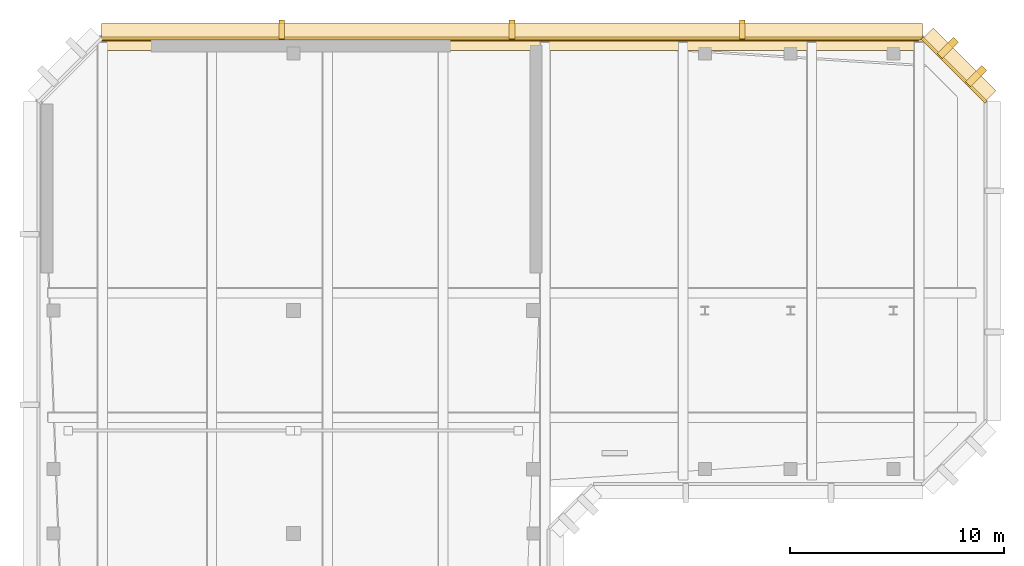
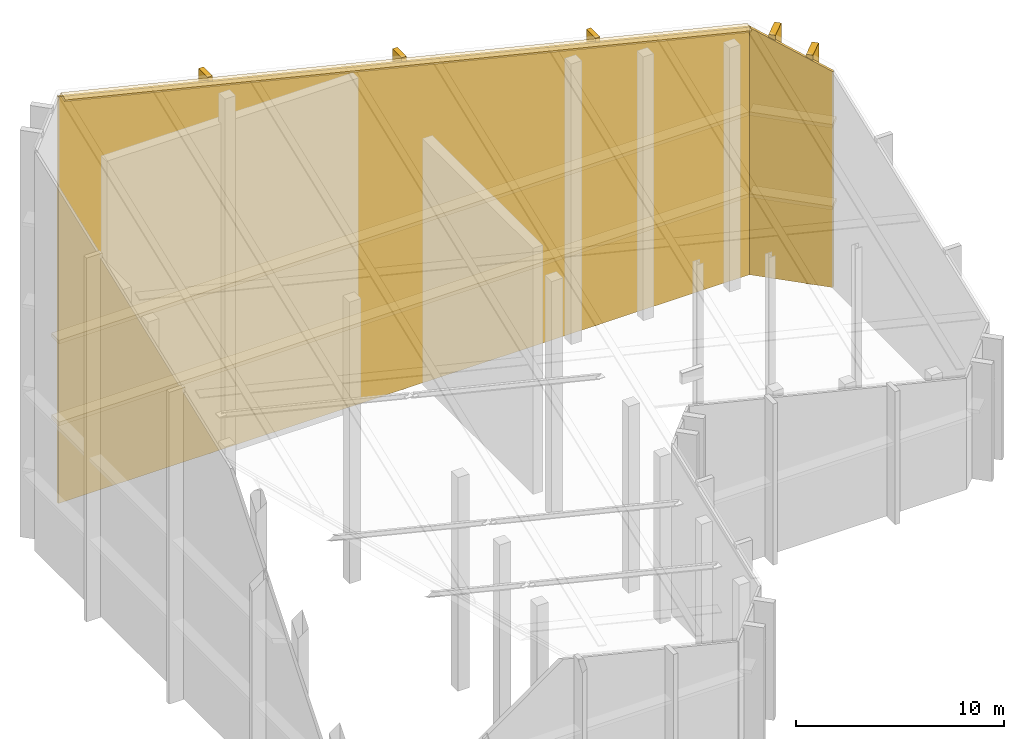
# One storey, part 3 of 3: 12 coverings.
"""IFC4 building model written with IfcOpenShell, lengths in metres."""

from ifc_helpers import new_model, si_unit, direction, frame, origin, origin_2d, place, context, subcontext, project, spatial, polyline, rectangle, outline, extrude, material, layer, layer_set, type_object, element, save


model = new_model("IFC4")

# Units and contexts
model_context = context("Model", 3, precision=1e-05, world=origin(), true_north=direction((0.0, 1.0)))
body_context = subcontext(model_context, "Body", "Model", "MODEL_VIEW")
ifc_project = project(units=[si_unit("LENGTHUNIT", "METRE"), si_unit("AREAUNIT", "SQUARE_METRE"), si_unit("VOLUMEUNIT", "CUBIC_METRE"), si_unit("PLANEANGLEUNIT", "RADIAN"), si_unit("MASSUNIT", "GRAM", prefix="KILO")], contexts=[model_context])

# Site, building, storey
site_placement = place(None, origin())
site = spatial("IfcSite", under=ifc_project, at=site_placement, CompositionType="ELEMENT")
building_placement = place(site_placement, origin())
building = spatial("IfcBuilding", under=site, at=building_placement, Name="Kefirva Bronze Tower", CompositionType="ELEMENT")
storey_placement = place(building_placement, frame((0.0, 0.0, 373.889892578125)))
storey = spatial("IfcBuildingStorey", under=building, at=storey_placement, Name="L91", CompositionType="ELEMENT", Elevation=373.889892578125)

# Coverings
ifc_material_1 = material(Name="Tempered laminated low-E glass", Category="glass")
ifc_layer_1 = layer(ifc_material_1, 0.139892578125, Name="Tempered laminated low-E glass")
ifc_layer_set_1 = layer_set([ifc_layer_1], Name="Tempered laminated low-E glass")
covering_type_1 = type_object("IfcCoveringType", Name="Slanted Crown Faceted Glazed Screen 140mm", PredefinedType="CLADDING", material=ifc_layer_set_1)
covering_1_placement = place(storey_placement, frame((44.329345703125, 42.92919921875, -0.099853515625), z_axis=(0.0, 0.0, 1.0), x_axis=(-0.707106781187, 0.707106781187, 0.0)))
element("IfcCovering", 1, at=covering_1_placement, inside=storey, type_object=covering_type_1, Name="L91 Slanted Crown Faceted Glazed Screen 8", PredefinedType="CLADDING", context=body_context, shape_type="SweptSolid", body=[
    extrude(outline(polyline([(0.0, 0.0), (4.24267578125, 0.0), (4.24267578125, 14.536376953125), (0.0, 12.654541015625), (0.0, 0.0)])), frame((0.0, 0.06982421875, 0.0), z_axis=(0.0, -1.0, 0.0), x_axis=(1.0, 0.0, 0.0)), (0.0, 0.0, 1.0), 0.139892578125),
])
covering_2_placement = place(storey_placement, frame((41.39990234375, 45.89990234375, -0.099853515625), z_axis=(0.0, 0.0, 1.0), x_axis=(-1.0, 0.0, 0.0)))
element("IfcCovering", 2, at=covering_2_placement, inside=storey, type_object=covering_type_1, Name="L91 Slanted Crown Faceted Glazed Screen 9", PredefinedType="CLADDING", context=body_context, shape_type="SweptSolid", body=[
    extrude(outline(polyline([(0.0, 0.0), (38.39990234375, 0.0), (38.39990234375, 23.852783203125), (0.0, 14.508056640625), (0.0, 0.0)])), frame((0.0, 0.06982421875, 0.0), z_axis=(0.0, -1.0, 0.0), x_axis=(1.0, 0.0, 0.0)), (0.0, 0.0, 1.0), 0.139892578125),
])
ifc_material_2 = material(Name="Bronze anodised aluminium", Category="aluminium")
ifc_layer_2 = layer(ifc_material_2, 0.179931640625, Name="Bronze anodised aluminium")
ifc_layer_set_2 = layer_set([ifc_layer_2], Name="Bronze anodised aluminium")
covering_type_2 = type_object("IfcCoveringType", Name="Streamline Bronze Sunshade Eyebrow Cladding 180mm", PredefinedType="CLADDING", material=ifc_layer_set_2)
for number, where, z_axis, x_axis, name in (
    (3, (43.069580078125, 44.669677734375, 4.39990234375), (0.0, 0.0, 1.0), (-0.707106781187, 0.707106781187, 0.0), "L91 Slanted Crown Horizontal Bronze Band 8-1"),
    (4, (43.069580078125, 44.669677734375, 9.2001953125), (0.0, 0.0, 1.0), (-0.707106781187, 0.707106781187, 0.0), "L91 Slanted Crown Horizontal Bronze Band 8-2"),
):
    element("IfcCovering", number, at=place(storey_placement, frame(where, z_axis=z_axis, x_axis=x_axis)), inside=storey, type_object=covering_type_2, Name=name, PredefinedType="CLADDING", context=body_context, shape_type="SweptSolid", body=[
        extrude(rectangle(XDim=4.142578125, YDim=0.719970703125, at=origin_2d()), origin(), (0.0, 0.0, 1.0), 0.219970703125),
    ])
for number, where, z_axis, x_axis, name in (
    (5, (22.199951171875, 46.239990234375, 4.39990234375), (0.0, 0.0, 1.0), (-1.0, 0.0, 0.0), "L91 Slanted Crown Horizontal Bronze Band 9-1"),
    (6, (22.199951171875, 46.239990234375, 9.2001953125), (0.0, 0.0, 1.0), (-1.0, 0.0, 0.0), "L91 Slanted Crown Horizontal Bronze Band 9-2"),
):
    element("IfcCovering", number, at=place(storey_placement, frame(where, z_axis=z_axis, x_axis=x_axis)), inside=storey, type_object=covering_type_2, Name=name, PredefinedType="CLADDING", context=body_context, shape_type="SweptSolid", body=[
        extrude(rectangle(XDim=38.300048828125, YDim=0.719970703125, at=origin_2d()), origin(), (0.0, 0.0, 1.0), 0.219970703125),
    ])
ifc_layer_3 = layer(ifc_material_2, 0.260009765625, Name="Bronze anodised aluminium")
ifc_layer_set_3 = layer_set([ifc_layer_3], Name="Bronze anodised aluminium")
covering_type_3 = type_object("IfcCoveringType", Name="Unbroken Bronze Buttress Fin Cladding 260mm", PredefinedType="CLADDING", material=ifc_layer_set_3)
covering_3_placement = place(storey_placement, frame((43.85693359375, 44.136962890625, -0.14990234375), z_axis=(0.0, 0.0, 1.0), x_axis=(-0.707106781187, 0.707106781187, 0.0)))
element("IfcCovering", 7, at=covering_3_placement, inside=storey, type_object=covering_type_3, Name="L91 Unbroken Crown Buttress Fin Rib 8-1", PredefinedType="CLADDING", context=body_context, shape_type="SweptSolid", body=[
    extrude(rectangle(XDim=0.340087890625, YDim=1.080078125, at=origin_2d()), origin(), (0.0, 0.0, 1.0), 13.46142578125),
])
covering_4_placement = place(storey_placement, frame((42.537109375, 45.45703125, -0.14990234375), z_axis=(0.0, 0.0, 1.0), x_axis=(-0.707106781187, 0.707106781187, 0.0)))
element("IfcCovering", 8, at=covering_4_placement, inside=storey, type_object=covering_type_3, Name="L91 Unbroken Crown Buttress Fin Rib 8-2", PredefinedType="CLADDING", context=body_context, shape_type="SweptSolid", body=[
    extrude(rectangle(XDim=0.340087890625, YDim=1.080078125, at=origin_2d()), origin(), (0.0, 0.0, 1.0), 14.289306640625),
])
covering_5_placement = place(storey_placement, frame((32.951904296875, 46.320068359375, -0.14990234375), z_axis=(0.0, 0.0, 1.0), x_axis=(-1.0, 0.0, 0.0)))
element("IfcCovering", 9, at=covering_5_placement, inside=storey, type_object=covering_type_3, Name="L91 Unbroken Crown Buttress Fin Rib 9-1", PredefinedType="CLADDING", context=body_context, shape_type="SweptSolid", body=[
    extrude(rectangle(XDim=0.260009765625, YDim=0.8798828125, at=origin_2d()), origin(), (0.0, 0.0, 1.0), 16.872314453125),
])
covering_6_placement = place(storey_placement, frame((22.199951171875, 46.320068359375, -0.14990234375), z_axis=(0.0, 0.0, 1.0), x_axis=(-1.0, 0.0, 0.0)))
element("IfcCovering", 10, at=covering_6_placement, inside=storey, type_object=covering_type_3, Name="L91 Unbroken Crown Buttress Fin Rib 9-2", PredefinedType="CLADDING", context=body_context, shape_type="SweptSolid", body=[
    extrude(rectangle(XDim=0.260009765625, YDim=0.8798828125, at=origin_2d()), origin(), (0.0, 0.0, 1.0), 19.48876953125),
])
covering_7_placement = place(storey_placement, frame((11.447998046875, 46.320068359375, -0.14990234375), z_axis=(0.0, 0.0, 1.0), x_axis=(-1.0, 0.0, 0.0)))
element("IfcCovering", 11, at=covering_7_placement, inside=storey, type_object=covering_type_3, Name="L91 Unbroken Crown Buttress Fin Rib 9-3", PredefinedType="CLADDING", context=body_context, shape_type="SweptSolid", body=[
    extrude(rectangle(XDim=0.260009765625, YDim=0.8798828125, at=origin_2d()), origin(), (0.0, 0.0, 1.0), 22.10546875),
])
covering_8_placement = place(storey_placement, frame((3.10009765625, 45.330078125, 23.83984375), z_axis=(0.221539068968, -0.349585006546, 0.910335522826), x_axis=(0.971641588952, 0.0, -0.236458500838)))
element("IfcCovering", 12, at=covering_8_placement, inside=storey, type_object=covering_type_3, Name="L91 Slanted-Crown Cross Bronze Rib N-RIDGE", PredefinedType="CLADDING", context=body_context, shape_type="SweptSolid", body=[
    extrude(outline(polyline([(0.0, 0.0), (39.21183896287357, 4.440892098500626e-16), (39.17189040755627, 0.46956902844737414), (-0.03994855531730502, 0.4695690284473736), (0.0, 0.0)])), origin(), (0.0, 0.0, -1.0), 0.14990234375),
])

save(model, "model.ifc")
